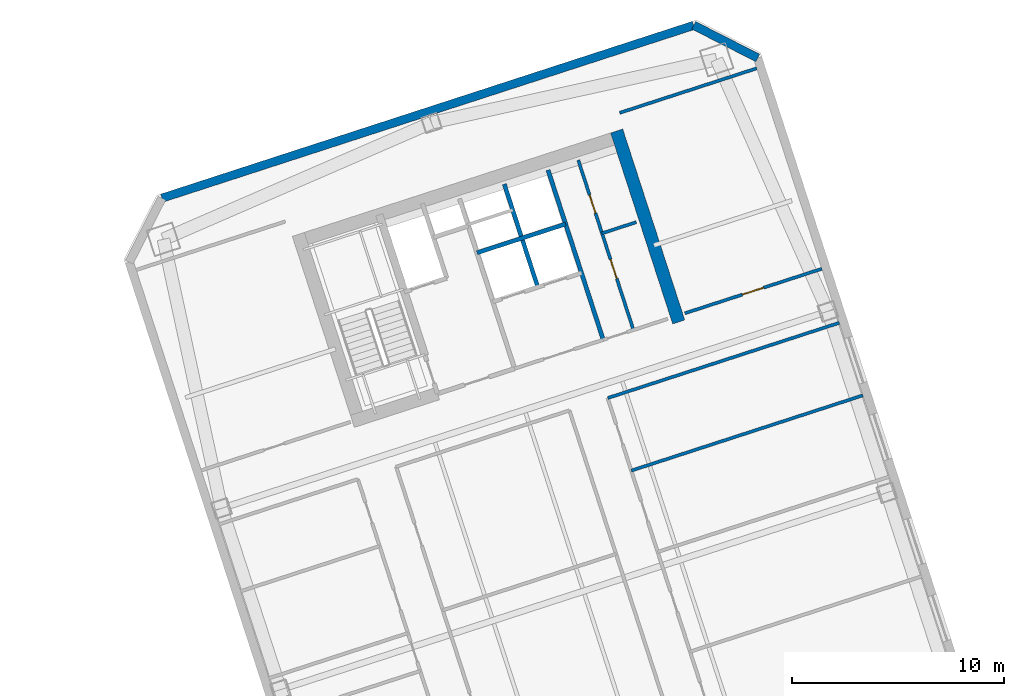
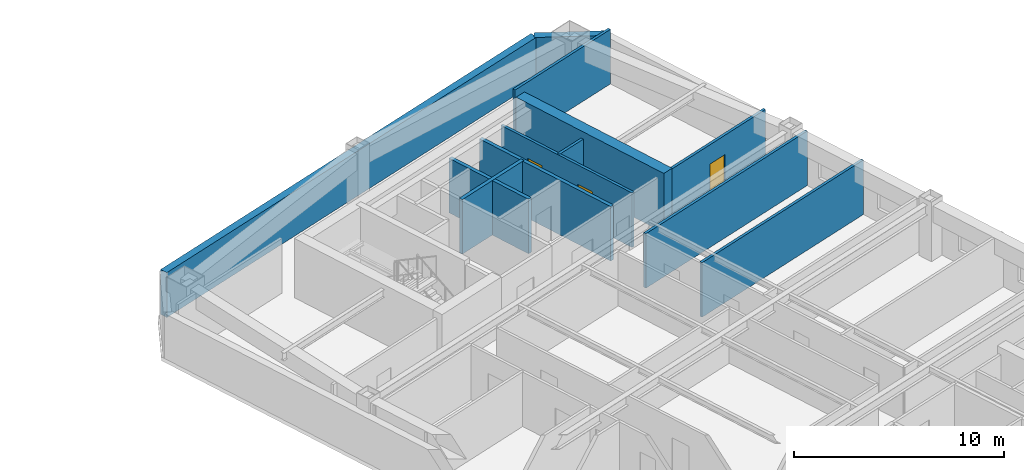
# One storey, part 10 of 13: 12 walls, 3 doors, 3 openings.
"""IFC4 building model written with IfcOpenShell, lengths in metres."""

from ifc_helpers import new_model, si_unit, direction, frame, frame_2d, origin, place, context, subcontext, project, spatial, rectangle, extrude, material, layer, layer_set, type_object, element, fill, save


model = new_model("IFC4")

# Units and contexts
model_context = context("Model", 3, precision=1e-05, world=origin(), true_north=direction((0.0, 1.0)))
body_context = subcontext(model_context, "Body", "Model", "MODEL_VIEW")
ifc_project = project(units=[si_unit("LENGTHUNIT", "METRE"), si_unit("AREAUNIT", "SQUARE_METRE"), si_unit("VOLUMEUNIT", "CUBIC_METRE"), si_unit("PLANEANGLEUNIT", "RADIAN"), si_unit("MASSUNIT", "GRAM", prefix="KILO")], contexts=[model_context])

# Site, building, storey
site_placement = place(None, origin())
site = spatial("IfcSite", under=ifc_project, at=site_placement, CompositionType="ELEMENT")
building_placement = place(site_placement, origin())
building = spatial("IfcBuilding", under=site, at=building_placement, Name="Qiaolan Cultural Towers", CompositionType="ELEMENT")
storey_placement = place(building_placement, frame((0.0, 0.0, 170.199951171875)))
storey = spatial("IfcBuildingStorey", under=building, at=storey_placement, Name="L45", CompositionType="ELEMENT", Elevation=170.199951171875)

# Walls
ifc_material_1 = material(Name="Concrete C55", Category="concrete")
ifc_layer_1 = layer(ifc_material_1, 0.60009765625)
ifc_layer_set_1 = layer_set([ifc_layer_1], Name="Concrete C55")
wall_type_1 = type_object("IfcWallType", Name="WL-CORE-600", PredefinedType="SHEAR", material=ifc_layer_set_1)
wall_1_placement = place(storey_placement, frame((94.4921875, 46.710205078125, 0.0), z_axis=(0.0, 0.0, 1.0), x_axis=(-0.309010370028, 0.95105866865, 0.0)))
element("IfcWall", 1, at=wall_1_placement, inside=storey, type_object=wall_type_1, Name="L45 T2-CN East Core Shear Wall", PredefinedType="SHEAR", context=body_context, shape_type="SweptSolid", body=[
    extrude(rectangle(XDim=9.47998046875, YDim=0.60009765625, at=frame_2d((4.739990234375, 0.0))), origin(), (0.0, 0.0, 1.0), 3.449951171875),
])
ifc_material_2 = material(Name="Precast Concrete C50 Honed Stone Pier", Category="masonry")
ifc_layer_2 = layer(ifc_material_2, 0.39990234375)
ifc_layer_set_2 = layer_set([ifc_layer_2], Name="Precast Concrete C50 Honed Stone Pier")
wall_type_2 = type_object("IfcWallType", Name="WL-EXT-PIER-400", PredefinedType="SOLIDWALL", material=ifc_layer_set_2)
wall_2_placement = place(storey_placement, frame((70.091552734375, 52.55615234375, 0.0), z_axis=(0.0, 0.0, 1.0), x_axis=(0.951057580055, 0.30901372044, 0.0)))
element("IfcWall", 2, at=wall_2_placement, inside=storey, type_object=wall_type_2, Name="L45 East Tower Precast Pier Facade Wall F3", PredefinedType="SOLIDWALL", context=body_context, shape_type="SweptSolid", body=[
    extrude(rectangle(XDim=26.39990234375, YDim=0.39990234375, at=frame_2d((13.199951171875, 0.0))), origin(), (0.0, 0.0, 1.0), 2.610107421875),
])
wall_3_placement = place(storey_placement, frame((95.199462890625, 60.714111328125, 0.0), z_axis=(0.0, 0.0, 1.0), x_axis=(0.891020832027, -0.453962417932, 0.0)))
element("IfcWall", 3, at=wall_3_placement, inside=storey, type_object=wall_type_2, Name="L45 East Tower Precast Pier Facade Wall F4", PredefinedType="SOLIDWALL", context=body_context, shape_type="SweptSolid", body=[
    extrude(rectangle(XDim=3.39404296875, YDim=0.39990234375, at=frame_2d((1.697021484375, 0.0))), origin(), (0.0, 0.0, 1.0), 2.610107421875),
])
ifc_material_3 = material(Name="Concrete C35 Fire Wall", Category="concrete")
ifc_layer_3 = layer(ifc_material_3, 0.199951171875)
ifc_layer_set_3 = layer_set([ifc_layer_3], Name="Concrete C35 Fire Wall")
wall_type_3 = type_object("IfcWallType", Name="WL-FIRE-200", PredefinedType="PARTITIONING", material=ifc_layer_set_3)
wall_4_placement = place(storey_placement, frame((90.92822265625, 45.86767578125, 0.0), z_axis=(0.0, 0.0, 1.0), x_axis=(-0.309042196757, 0.951048327176, 0.0)))
element("IfcWall", 4, at=wall_4_placement, inside=storey, type_object=wall_type_3, Name="L45 T2-CN Lift Core East Wall", PredefinedType="PARTITIONING", context=body_context, shape_type="SweptSolid", body=[
    extrude(rectangle(XDim=8.429931640625, YDim=0.199951171875, at=frame_2d((4.21484375, 0.0))), origin(), (0.0, 0.0, 1.0), 3.175048828125),
])
wall_5_placement = place(storey_placement, frame((87.83837890625, 48.3544921875, 0.0), z_axis=(0.0, 0.0, 1.0), x_axis=(-0.3090093719, 0.951058992953, 0.0)))
element("IfcWall", 5, at=wall_5_placement, inside=storey, type_object=wall_type_3, Name="L45 T2-CN Lift Shaft Divider Wall", PredefinedType="PARTITIONING", context=body_context, shape_type="SweptSolid", body=[
    extrude(rectangle(XDim=5.110107421875, YDim=0.199951171875, at=frame_2d((2.55517578125, 0.0))), origin(), (0.0, 0.0, 1.0), 3.175048828125),
])
wall_6_placement = place(storey_placement, frame((84.966552734375, 49.9765625, 0.0), z_axis=(0.0, 0.0, 1.0), x_axis=(0.951063829732, 0.308994485023, 0.0)))
element("IfcWall", 6, at=wall_6_placement, inside=storey, type_object=wall_type_3, Name="L45 T2-CN Passenger Lift Shaft Back Wall", PredefinedType="PARTITIONING", context=body_context, shape_type="SweptSolid", body=[
    extrude(rectangle(XDim=4.400146484375, YDim=0.199951171875, at=frame_2d((2.2001953125, 0.0))), origin(), (0.0, 0.0, 1.0), 3.175048828125),
])

# Wall, openings, doors
ifc_material_4 = material(Name="Autoclaved Aerated Concrete Block B06", Category="concrete")
ifc_layer_4 = layer(ifc_material_4, 0.14990234375)
ifc_layer_set_4 = layer_set([ifc_layer_4], Name="Autoclaved Aerated Concrete Block B06")
wall_type_4 = type_object("IfcWallType", Name="WL-PART-150", PredefinedType="PARTITIONING", material=ifc_layer_set_4)
wall_7_placement = place(storey_placement, frame((92.354736328125, 46.3310546875, 0.0), z_axis=(0.0, 0.0, 1.0), x_axis=(-0.309007490203, 0.951059604335, 0.0)))
wall_7 = element("IfcWall", 7, at=wall_7_placement, inside=storey, type_object=wall_type_4, Name="L45 T2-CN Washroom Split Wall", PredefinedType="PARTITIONING", context=body_context, shape_type="SweptSolid", body=[
    extrude(rectangle(XDim=8.43017578125, YDim=0.14990234375, at=frame_2d((4.215087890625, 0.0))), origin(), (0.0, 0.0, 1.0), 3.175048828125),
])
opening_1_placement = place(wall_7_placement, frame((2.550048828125, 0.0, 0.0)))
opening_1 = element("IfcOpeningElement", 8, at=opening_1_placement, cuts=wall_7, Name="Opening ID-05", PredefinedType="OPENING", context=body_context, shape_type="SweptSolid", body=[
    extrude(rectangle(XDim=0.949951171875, YDim=2.050048828125, at=frame_2d((0.47509765625, 1.02490234375))), frame((0.0, 0.0849609375, 0.0), z_axis=(0.0, -1.0, 0.0), x_axis=(1.0, 0.0, 0.0)), (0.0, 0.0, 1.0), 0.169921875),
])
opening_2_placement = place(wall_7_placement, frame((5.800048828125, 0.0, 0.0)))
opening_2 = element("IfcOpeningElement", 9, at=opening_2_placement, cuts=wall_7, Name="Opening ID-06", PredefinedType="OPENING", context=body_context, shape_type="SweptSolid", body=[
    extrude(rectangle(XDim=0.89990234375, YDim=2.050048828125, at=frame_2d((0.449951171875, 1.02490234375))), frame((0.0, 0.0849609375, 0.0), z_axis=(0.0, -1.0, 0.0), x_axis=(1.0, 0.0, 0.0)), (0.0, 0.0, 1.0), 0.169921875),
])
ifc_material_5 = material(Name="Fire-Rated Laminate Core Service Door", Category="timber")
door_type_1 = type_object("IfcDoorType", Name="DR-INT-900", OperationType="NOTDEFINED", PredefinedType="DOOR", material=ifc_material_5)
door_1_placement = place(opening_2_placement, origin())
door_1 = element("IfcDoor", 10, at=door_1_placement, inside=storey, type_object=door_type_1, Name="L45 First-Aid Room Door", OperationType="SINGLE_SWING_RIGHT", OverallHeight=2.050048828125, OverallWidth=0.89990234375, PredefinedType="DOOR", context=body_context, shape_type="SweptSolid", body=[
    extrude(rectangle(XDim=0.89990234375, YDim=2.050048828125, at=frame_2d((0.449951171875, 1.02490234375))), frame((0.0, 0.02490234375, 0.0), z_axis=(0.0, -1.0, 0.0), x_axis=(1.0, 0.0, 0.0)), (0.0, 0.0, 1.0), 0.050048828125),
])
fill(opening_2, door_1)
ifc_material_6 = material(Name="Fire-Rated Laminate Accessible Core Door", Category="timber")
door_type_2 = type_object("IfcDoorType", Name="DR-INT-950", OperationType="NOTDEFINED", PredefinedType="DOOR", material=ifc_material_6)
door_2_placement = place(opening_1_placement, origin())
door_2 = element("IfcDoor", 11, at=door_2_placement, inside=storey, type_object=door_type_2, Name="L45 Accessible Washroom Door", OperationType="SINGLE_SWING_LEFT", OverallHeight=2.050048828125, OverallWidth=0.949951171875, PredefinedType="DOOR", context=body_context, shape_type="SweptSolid", body=[
    extrude(rectangle(XDim=0.949951171875, YDim=2.050048828125, at=frame_2d((0.47509765625, 1.02490234375))), frame((0.0, 0.02490234375, 0.0), z_axis=(0.0, -1.0, 0.0), x_axis=(1.0, 0.0, 0.0)), (0.0, 0.0, 1.0), 0.050048828125),
])
fill(opening_1, door_2)

# Walls
wall_8_placement = place(storey_placement, frame((90.871337890625, 50.896240234375, 0.0), z_axis=(0.0, 0.0, 1.0), x_axis=(0.951054116971, 0.309024378638, 0.0)))
element("IfcWall", 12, at=wall_8_placement, inside=storey, type_object=wall_type_4, Name="L45 T2-CN First-Aid Wall", PredefinedType="PARTITIONING", context=body_context, shape_type="SweptSolid", body=[
    extrude(rectangle(XDim=1.7001953125, YDim=0.14990234375, at=frame_2d((0.85009765625, 0.0))), origin(), (0.0, 0.0, 1.0), 3.175048828125),
])
wall_9_placement = place(storey_placement, frame((91.705078125, 56.582275390625, 0.0), z_axis=(0.0, 0.0, 1.0), x_axis=(0.951057811516, 0.309013008068, 0.0)))
element("IfcWall", 13, at=wall_9_placement, inside=storey, type_object=wall_type_4, Name="L45 T2 Flank Wall FLK-NE", PredefinedType="PARTITIONING", context=body_context, shape_type="SweptSolid", body=[
    extrude(rectangle(XDim=6.800048828125, YDim=0.14990234375, at=frame_2d((3.39990234375, 0.0))), origin(), (0.0, 0.0, 1.0), 3.175048828125),
])

# Wall, opening, door
wall_10_placement = place(storey_placement, frame((94.77978515625, 47.119140625, 0.0), z_axis=(0.0, 0.0, 1.0), x_axis=(0.951057811516, 0.309013008068, 0.0)))
wall_10 = element("IfcWall", 14, at=wall_10_placement, inside=storey, type_object=wall_type_4, Name="L45 T2 Flank Front FLK-NE", PredefinedType="PARTITIONING", context=body_context, shape_type="SweptSolid", body=[
    extrude(rectangle(XDim=6.800048828125, YDim=0.14990234375, at=frame_2d((3.39990234375, 0.0))), origin(), (0.0, 0.0, 1.0), 3.175048828125),
])
opening_3_placement = place(wall_10_placement, frame((2.85595703125, 0.0, 0.0)))
opening_3 = element("IfcOpeningElement", 15, at=opening_3_placement, cuts=wall_10, Name="Opening ID-07", PredefinedType="OPENING", context=body_context, shape_type="SweptSolid", body=[
    extrude(rectangle(XDim=1.050048828125, YDim=2.050048828125, at=frame_2d((0.52490234375, 1.02490234375))), frame((0.0, 0.0849609375, 0.0), z_axis=(0.0, -1.0, 0.0), x_axis=(1.0, 0.0, 0.0)), (0.0, 0.0, 1.0), 0.169921875),
])
ifc_material_7 = material(Name="Oak Veneer Consultation Door", Category="timber")
door_type_3 = type_object("IfcDoorType", Name="DR-INT-1050", OperationType="NOTDEFINED", PredefinedType="DOOR", material=ifc_material_7)
door_3_placement = place(opening_3_placement, origin())
door_3 = element("IfcDoor", 16, at=door_3_placement, inside=storey, type_object=door_type_3, Name="L45 T2 Corner Studio Door", OperationType="SINGLE_SWING_LEFT", OverallHeight=2.050048828125, OverallWidth=1.050048828125, PredefinedType="DOOR", context=body_context, shape_type="SweptSolid", body=[
    extrude(rectangle(XDim=1.050048828125, YDim=2.050048828125, at=frame_2d((0.52490234375, 1.02490234375))), frame((0.0, 0.02490234375, 0.0), z_axis=(0.0, -1.0, 0.0), x_axis=(1.0, 0.0, 0.0)), (0.0, 0.0, 1.0), 0.050048828125),
])
fill(opening_3, door_3)

# Walls
wall_11_placement = place(storey_placement, frame((91.13818359375, 43.117919921875, 0.0), z_axis=(0.0, 0.0, 1.0), x_axis=(0.951054972381, 0.309021746015, 0.0)))
element("IfcWall", 17, at=wall_11_placement, inside=storey, type_object=wall_type_4, Name="L45 T2 Interior Wall", PredefinedType="PARTITIONING", context=body_context, shape_type="SweptSolid", body=[
    extrude(rectangle(XDim=11.499755859375, YDim=0.14990234375, at=frame_2d((5.75, 0.0))), origin(), (0.0, 0.0, 1.0), 3.175048828125),
])
wall_12_placement = place(storey_placement, frame((92.25146484375, 39.69140625, 0.0), z_axis=(0.0, 0.0, 1.0), x_axis=(0.951063238644, 0.308996304347, 0.0)))
element("IfcWall", 18, at=wall_12_placement, inside=storey, type_object=wall_type_4, Name="L45 T2 Interior Wall", PredefinedType="PARTITIONING", context=body_context, shape_type="SweptSolid", body=[
    extrude(rectangle(XDim=11.5, YDim=0.14990234375, at=frame_2d((5.75, 0.0))), origin(), (0.0, 0.0, 1.0), 3.175048828125),
])

save(model, "model.ifc")
